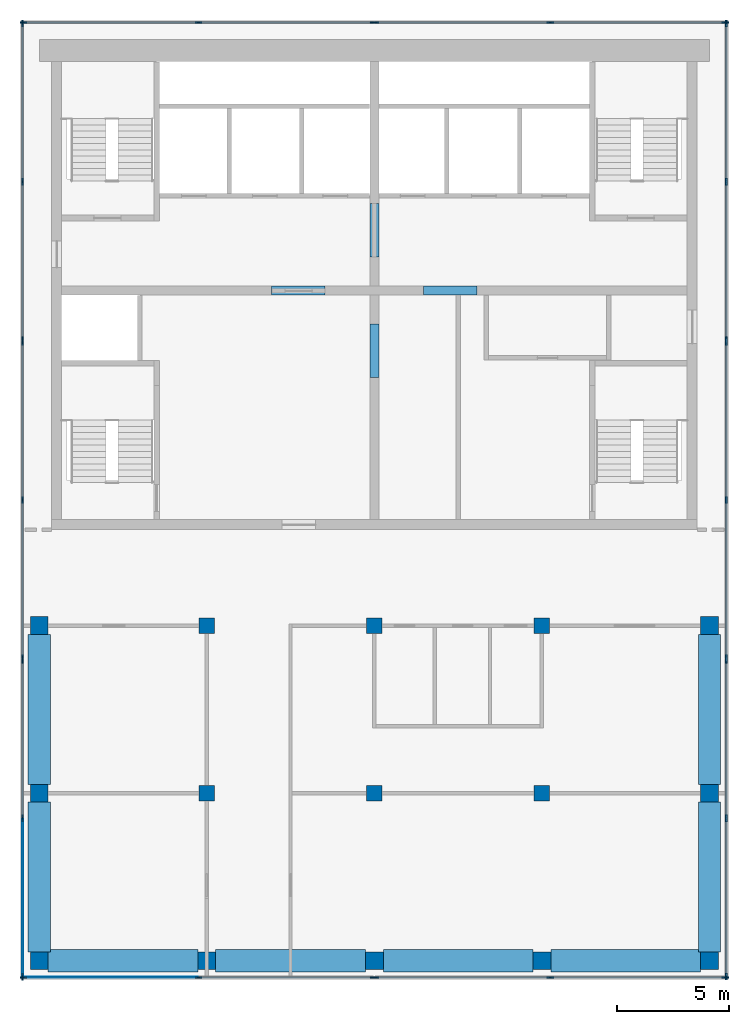
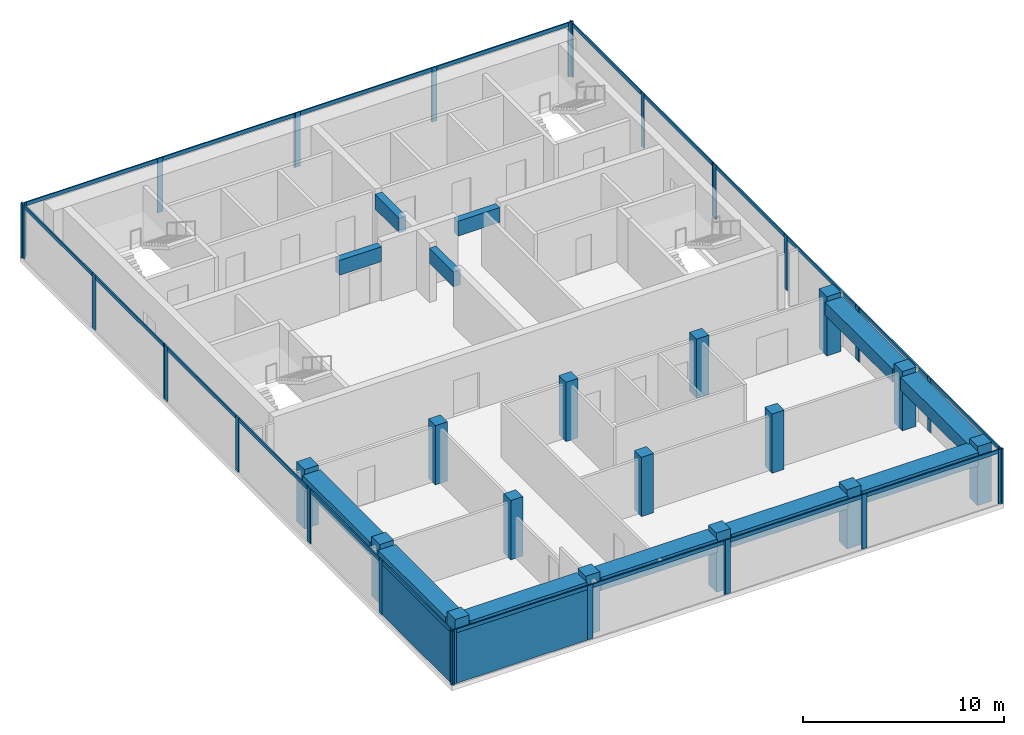
# One storey, part 1 of 5: 50 members, 15 columns, 12 beams, 2 plates, 10 elements without a shape of their own.
"""IFC4 building model written with IfcOpenShell, lengths in metres."""

from ifc_helpers import new_model, si_unit, direction, frame, origin, origin_2d, place, context, subcontext, project, spatial, rectangle, extrude, material, layer, layer_set, material_profile, profile_set, type_object, element, aggregate, save


model = new_model("IFC4")

# Units and contexts
model_context = context("Model", 3, precision=1e-05, world=origin(), true_north=direction((0.0, 1.0)))
body_context = subcontext(model_context, "Body", "Model", "MODEL_VIEW")
ifc_project = project(units=[si_unit("LENGTHUNIT", "METRE"), si_unit("AREAUNIT", "SQUARE_METRE"), si_unit("VOLUMEUNIT", "CUBIC_METRE"), si_unit("PLANEANGLEUNIT", "RADIAN"), si_unit("MASSUNIT", "GRAM", prefix="KILO")], contexts=[model_context])

# Site, building, storey
site_placement = place(None, origin())
site = spatial("IfcSite", under=ifc_project, at=site_placement, CompositionType="ELEMENT")
building_placement = place(site_placement, origin())
building = spatial("IfcBuilding", under=site, at=building_placement, Name="Pilkhan Gate Tower", CompositionType="ELEMENT")
storey_placement = place(building_placement, frame((0.0, 0.0, 280.10009765625)))
storey = spatial("IfcBuildingStorey", under=building, at=storey_placement, Name="L73", CompositionType="ELEMENT", Elevation=280.10009765625)

# Columns
ifc_material_1 = material(Name="Concrete C40/50", Category="concrete")
ifc_material_profile_1 = material_profile(ifc_material_1, rectangle(XDim=0.699951171875, YDim=0.699951171875, at=origin_2d()), Name="RC 700x700")
ifc_profile_set_1 = profile_set([ifc_material_profile_1], Name="Concrete C40/50")
column_type_1 = type_object("IfcColumnType", Name="Column C70 RC 700x700 C40/50", PredefinedType="COLUMN", material=ifc_profile_set_1)
for number, where, z_axis, x_axis, name in (
    (1, (67.5, 60.0, 0.0), (0.0, 0.0, 1.0), (1.0, 0.0, 0.0), "Column 9/F L73"),
    (2, (67.5, 67.5, 0.0), (0.0, 0.0, 1.0), (1.0, 0.0, 0.0), "Column 9/H L73"),
    (3, (75.0, 60.0, 0.0), (0.0, 0.0, 1.0), (1.0, 0.0, 0.0), "Column 11/F L73"),
    (4, (75.0, 67.5, 0.0), (0.0, 0.0, 1.0), (1.0, 0.0, 0.0), "Column 11/H L73"),
    (5, (82.5, 60.0, 0.0), (0.0, 0.0, 1.0), (1.0, 0.0, 0.0), "Column 13/F L73"),
    (6, (82.5, 67.5, 0.0), (0.0, 0.0, 1.0), (1.0, 0.0, 0.0), "Column 13/H L73"),
):
    element("IfcColumn", number, at=place(storey_placement, frame(where, z_axis=z_axis, x_axis=x_axis)), inside=storey, type_object=column_type_1, Name=name, PredefinedType="COLUMN", context=body_context, shape_type="SweptSolid", body=[
        extrude(rectangle(XDim=0.699951171875, YDim=0.699951171875, at=origin_2d()), origin(), (0.0, 0.0, 1.0), 3.599853515625),
    ])
ifc_material_profile_2 = material_profile(ifc_material_1, rectangle(XDim=0.800048828125, YDim=0.800048828125, at=origin_2d()), Name="RC 800x800")
ifc_profile_set_2 = profile_set([ifc_material_profile_2], Name="Concrete C40/50")
column_type_2 = type_object("IfcColumnType", Name="Column C80 RC 800x800 C40/50", PredefinedType="COLUMN", material=ifc_profile_set_2)
for number, where, z_axis, x_axis, name in (
    (7, (60.0, 52.5, 0.0), (0.0, 0.0, 1.0), (1.0, 0.0, 0.0), "Column 7/D L73"),
    (8, (60.0, 60.0, 0.0), (0.0, 0.0, 1.0), (1.0, 0.0, 0.0), "Column 7/F L73"),
    (9, (60.0, 67.5, 0.0), (0.0, 0.0, 1.0), (1.0, 0.0, 0.0), "Column 7/H L73"),
    (10, (67.5, 52.5, 0.0), (0.0, 0.0, 1.0), (1.0, 0.0, 0.0), "Column 9/D L73"),
    (11, (75.0, 52.5, 0.0), (0.0, 0.0, 1.0), (1.0, 0.0, 0.0), "Column 11/D L73"),
    (12, (82.5, 52.5, 0.0), (0.0, 0.0, 1.0), (1.0, 0.0, 0.0), "Column 13/D L73"),
    (13, (90.0, 52.5, 0.0), (0.0, 0.0, 1.0), (1.0, 0.0, 0.0), "Column 15/D L73"),
    (14, (90.0, 60.0, 0.0), (0.0, 0.0, 1.0), (1.0, 0.0, 0.0), "Column 15/F L73"),
    (15, (90.0, 67.5, 0.0), (0.0, 0.0, 1.0), (1.0, 0.0, 0.0), "Column 15/H L73"),
):
    element("IfcColumn", number, at=place(storey_placement, frame(where, z_axis=z_axis, x_axis=x_axis)), inside=storey, type_object=column_type_2, Name=name, PredefinedType="COLUMN", context=body_context, shape_type="SweptSolid", body=[
        extrude(rectangle(XDim=0.800048828125, YDim=0.800048828125, at=origin_2d()), origin(), (0.0, 0.0, 1.0), 3.599853515625),
    ])

# Beams
ifc_material_2 = material(Name="Concrete C50/60", Category="concrete")
ifc_material_profile_3 = material_profile(ifc_material_2, rectangle(XDim=0.39990234375, YDim=0.89990234375, at=origin_2d()), Name="RC 400x900")
ifc_profile_set_3 = profile_set([ifc_material_profile_3], Name="Concrete C50/60")
beam_type_1 = type_object("IfcBeamType", Name="Coupling beam CB90-4 RC 400x900 C50/60", PredefinedType="LINTEL", material=ifc_profile_set_3)
for number, where, z_axis, x_axis, name in (
    (16, (70.39990234375, 82.5, 2.849853515625), (1.0, 0.0, 0.0), (0.0, 1.0, 0.0), "Coupling beam 1 L73"),
    (17, (77.199951171875, 82.5, 2.849853515625), (1.0, 0.0, 0.0), (0.0, 1.0, 0.0), "Coupling beam 2 L73"),
):
    element("IfcBeam", number, at=place(storey_placement, frame(where, z_axis=z_axis, x_axis=x_axis)), inside=storey, type_object=beam_type_1, Name=name, PredefinedType="LINTEL", context=body_context, shape_type="SweptSolid", body=[
        extrude(rectangle(XDim=0.39990234375, YDim=0.89990234375, at=origin_2d()), origin(), (0.0, 0.0, 1.0), 2.400146484375),
    ])
for number, where, z_axis, x_axis, name in (
    (18, (75.0, 78.60009765625, 2.849853515625), (0.0, 1.0, 0.0), (-1.0, 0.0, 0.0), "Coupling beam 3 L73"),
    (19, (75.0, 84.0, 2.849853515625), (0.0, 1.0, 0.0), (-1.0, 0.0, 0.0), "Coupling beam 4 L73"),
):
    element("IfcBeam", number, at=place(storey_placement, frame(where, z_axis=z_axis, x_axis=x_axis)), inside=storey, type_object=beam_type_1, Name=name, PredefinedType="LINTEL", context=body_context, shape_type="SweptSolid", body=[
        extrude(rectangle(XDim=0.39990234375, YDim=0.89990234375, at=origin_2d()), origin(), (0.0, 0.0, 1.0), 2.39990234375),
    ])

# Curtain wall, members
ifc_material_3 = material(Name="Pale anodised aluminium, clear low-iron double glazing", Category="aluminium")
curtain_wall_type = type_object("IfcCurtainWallType", Name="Crown unitised curtain wall CW-C", PredefinedType="USERDEFINED", material=ifc_material_3)
curtain_wall_1_placement = place(storey_placement, origin())
curtain_wall_1 = element("IfcCurtainWall", 20, at=curtain_wall_1_placement, inside=storey, type_object=curtain_wall_type, Name="Crown unitised curtain wall CW-C L73 E", ObjectType="UNITISED CURTAIN WALL", PredefinedType="USERDEFINED")
ifc_material_4 = material(Name="Pale anodised aluminium", Category="aluminium")
ifc_material_profile_4 = material_profile(ifc_material_4, rectangle(XDim=0.074951171875, YDim=0.300048828125, at=origin_2d()), Name="Mullion 300x75")
ifc_profile_set_4 = profile_set([ifc_material_profile_4], Name="Pale anodised aluminium")
member_type_1 = type_object("IfcMemberType", Name="Mullion CW-C 300x75", PredefinedType="MULLION", material=ifc_profile_set_4)
member_1_placement = place(storey_placement, frame((90.75, 51.78759765625, 0.0), z_axis=(0.0, 0.0, 1.0), x_axis=(-1.0, 0.0, 0.0)))
member_1 = element("IfcMember", 21, at=member_1_placement, type_object=member_type_1, Name="CW-C mullion 1", PredefinedType="MULLION", context=body_context, shape_type="SweptSolid", body=[
    extrude(rectangle(XDim=0.074951171875, YDim=0.300048828125, at=origin_2d()), origin(), (0.0, 0.0, 1.0), 3.2998046875),
])
member_2_placement = place(storey_placement, frame((90.75, 58.875, 0.0), z_axis=(0.0, 0.0, 1.0), x_axis=(-1.0, 0.0, 0.0)))
member_2 = element("IfcMember", 22, at=member_2_placement, type_object=member_type_1, Name="CW-C mullion 2", PredefinedType="MULLION", context=body_context, shape_type="SweptSolid", body=[
    extrude(rectangle(XDim=0.074951171875, YDim=0.300048828125, at=origin_2d()), origin(), (0.0, 0.0, 1.0), 3.2998046875),
])
member_3_placement = place(storey_placement, frame((90.75, 65.96240234375, 0.0), z_axis=(0.0, 0.0, 1.0), x_axis=(-1.0, 0.0, 0.0)))
member_3 = element("IfcMember", 23, at=member_3_placement, type_object=member_type_1, Name="CW-C mullion 3", PredefinedType="MULLION", context=body_context, shape_type="SweptSolid", body=[
    extrude(rectangle(XDim=0.074951171875, YDim=0.300048828125, at=origin_2d()), origin(), (0.0, 0.0, 1.0), 3.2998046875),
])

curtain_wall_2_placement = place(storey_placement, origin())
curtain_wall_2 = element("IfcCurtainWall", 24, at=curtain_wall_2_placement, inside=storey, type_object=curtain_wall_type, Name="Crown unitised curtain wall CW-C L73 E", ObjectType="UNITISED CURTAIN WALL", PredefinedType="USERDEFINED")
member_4_placement = place(storey_placement, frame((90.75, 66.03759765625, 0.0), z_axis=(0.0, 0.0, 1.0), x_axis=(-1.0, 0.0, 0.0)))
member_4 = element("IfcMember", 25, at=member_4_placement, type_object=member_type_1, Name="CW-C mullion 1", PredefinedType="MULLION", context=body_context, shape_type="SweptSolid", body=[
    extrude(rectangle(XDim=0.074951171875, YDim=0.300048828125, at=origin_2d()), origin(), (0.0, 0.0, 1.0), 3.2998046875),
])
member_5_placement = place(storey_placement, frame((90.75, 73.125, 0.0), z_axis=(0.0, 0.0, 1.0), x_axis=(-1.0, 0.0, 0.0)))
member_5 = element("IfcMember", 26, at=member_5_placement, type_object=member_type_1, Name="CW-C mullion 2", PredefinedType="MULLION", context=body_context, shape_type="SweptSolid", body=[
    extrude(rectangle(XDim=0.074951171875, YDim=0.300048828125, at=origin_2d()), origin(), (0.0, 0.0, 1.0), 3.2998046875),
])
member_6_placement = place(storey_placement, frame((90.75, 80.21240234375, 0.0), z_axis=(0.0, 0.0, 1.0), x_axis=(-1.0, 0.0, 0.0)))
member_6 = element("IfcMember", 27, at=member_6_placement, type_object=member_type_1, Name="CW-C mullion 3", PredefinedType="MULLION", context=body_context, shape_type="SweptSolid", body=[
    extrude(rectangle(XDim=0.074951171875, YDim=0.300048828125, at=origin_2d()), origin(), (0.0, 0.0, 1.0), 3.2998046875),
])

curtain_wall_3_placement = place(storey_placement, origin())
curtain_wall_3 = element("IfcCurtainWall", 28, at=curtain_wall_3_placement, inside=storey, type_object=curtain_wall_type, Name="Crown unitised curtain wall CW-C L73 E", ObjectType="UNITISED CURTAIN WALL", PredefinedType="USERDEFINED")
member_7_placement = place(storey_placement, frame((90.75, 80.28759765625, 0.0), z_axis=(0.0, 0.0, 1.0), x_axis=(-1.0, 0.0, 0.0)))
member_7 = element("IfcMember", 29, at=member_7_placement, type_object=member_type_1, Name="CW-C mullion 1", PredefinedType="MULLION", context=body_context, shape_type="SweptSolid", body=[
    extrude(rectangle(XDim=0.074951171875, YDim=0.300048828125, at=origin_2d()), origin(), (0.0, 0.0, 1.0), 3.2998046875),
])
member_8_placement = place(storey_placement, frame((90.75, 87.375, 0.0), z_axis=(0.0, 0.0, 1.0), x_axis=(-1.0, 0.0, 0.0)))
member_8 = element("IfcMember", 30, at=member_8_placement, type_object=member_type_1, Name="CW-C mullion 2", PredefinedType="MULLION", context=body_context, shape_type="SweptSolid", body=[
    extrude(rectangle(XDim=0.074951171875, YDim=0.300048828125, at=origin_2d()), origin(), (0.0, 0.0, 1.0), 3.2998046875),
])
member_9_placement = place(storey_placement, frame((90.75, 94.46240234375, 0.0), z_axis=(0.0, 0.0, 1.0), x_axis=(-1.0, 0.0, 0.0)))
member_9 = element("IfcMember", 31, at=member_9_placement, type_object=member_type_1, Name="CW-C mullion 3", PredefinedType="MULLION", context=body_context, shape_type="SweptSolid", body=[
    extrude(rectangle(XDim=0.074951171875, YDim=0.300048828125, at=origin_2d()), origin(), (0.0, 0.0, 1.0), 3.2998046875),
])

curtain_wall_4_placement = place(storey_placement, origin())
curtain_wall_4 = element("IfcCurtainWall", 32, at=curtain_wall_4_placement, inside=storey, type_object=curtain_wall_type, Name="Crown unitised curtain wall CW-C L73 N", ObjectType="UNITISED CURTAIN WALL", PredefinedType="USERDEFINED")
member_10_placement = place(storey_placement, frame((59.28759765625, 94.5, 0.0), z_axis=(0.0, 0.0, 1.0), x_axis=(0.0, 1.0, 0.0)))
member_10 = element("IfcMember", 33, at=member_10_placement, type_object=member_type_1, Name="CW-C mullion 1", PredefinedType="MULLION", context=body_context, shape_type="SweptSolid", body=[
    extrude(rectangle(XDim=0.074951171875, YDim=0.300048828125, at=origin_2d()), origin(), (0.0, 0.0, 1.0), 3.2998046875),
])
member_11_placement = place(storey_placement, frame((67.125, 94.5, 0.0), z_axis=(0.0, 0.0, 1.0), x_axis=(0.0, 1.0, 0.0)))
member_11 = element("IfcMember", 34, at=member_11_placement, type_object=member_type_1, Name="CW-C mullion 2", PredefinedType="MULLION", context=body_context, shape_type="SweptSolid", body=[
    extrude(rectangle(XDim=0.074951171875, YDim=0.300048828125, at=origin_2d()), origin(), (0.0, 0.0, 1.0), 3.2998046875),
])
member_12_placement = place(storey_placement, frame((74.96240234375, 94.5, 0.0), z_axis=(0.0, 0.0, 1.0), x_axis=(0.0, 1.0, 0.0)))
member_12 = element("IfcMember", 35, at=member_12_placement, type_object=member_type_1, Name="CW-C mullion 3", PredefinedType="MULLION", context=body_context, shape_type="SweptSolid", body=[
    extrude(rectangle(XDim=0.074951171875, YDim=0.300048828125, at=origin_2d()), origin(), (0.0, 0.0, 1.0), 3.2998046875),
])

curtain_wall_5_placement = place(storey_placement, origin())
curtain_wall_5 = element("IfcCurtainWall", 36, at=curtain_wall_5_placement, inside=storey, type_object=curtain_wall_type, Name="Crown unitised curtain wall CW-C L73 N", ObjectType="UNITISED CURTAIN WALL", PredefinedType="USERDEFINED")
member_13_placement = place(storey_placement, frame((75.03759765625, 94.5, 0.0), z_axis=(0.0, 0.0, 1.0), x_axis=(0.0, 1.0, 0.0)))
member_13 = element("IfcMember", 37, at=member_13_placement, type_object=member_type_1, Name="CW-C mullion 1", PredefinedType="MULLION", context=body_context, shape_type="SweptSolid", body=[
    extrude(rectangle(XDim=0.074951171875, YDim=0.300048828125, at=origin_2d()), origin(), (0.0, 0.0, 1.0), 3.2998046875),
])
member_14_placement = place(storey_placement, frame((82.875, 94.5, 0.0), z_axis=(0.0, 0.0, 1.0), x_axis=(0.0, 1.0, 0.0)))
member_14 = element("IfcMember", 38, at=member_14_placement, type_object=member_type_1, Name="CW-C mullion 2", PredefinedType="MULLION", context=body_context, shape_type="SweptSolid", body=[
    extrude(rectangle(XDim=0.074951171875, YDim=0.300048828125, at=origin_2d()), origin(), (0.0, 0.0, 1.0), 3.2998046875),
])
member_15_placement = place(storey_placement, frame((90.71240234375, 94.5, 0.0), z_axis=(0.0, 0.0, 1.0), x_axis=(0.0, 1.0, 0.0)))
member_15 = element("IfcMember", 39, at=member_15_placement, type_object=member_type_1, Name="CW-C mullion 3", PredefinedType="MULLION", context=body_context, shape_type="SweptSolid", body=[
    extrude(rectangle(XDim=0.074951171875, YDim=0.300048828125, at=origin_2d()), origin(), (0.0, 0.0, 1.0), 3.2998046875),
])

curtain_wall_6_placement = place(storey_placement, origin())
curtain_wall_6 = element("IfcCurtainWall", 40, at=curtain_wall_6_placement, inside=storey, type_object=curtain_wall_type, Name="Crown unitised curtain wall CW-C L73 W", ObjectType="UNITISED CURTAIN WALL", PredefinedType="USERDEFINED")
member_16_placement = place(storey_placement, frame((59.25, 51.78759765625, 0.0), z_axis=(0.0, 0.0, 1.0), x_axis=(-1.0, 0.0, 0.0)))
member_16 = element("IfcMember", 41, at=member_16_placement, type_object=member_type_1, Name="CW-C mullion 1", PredefinedType="MULLION", context=body_context, shape_type="SweptSolid", body=[
    extrude(rectangle(XDim=0.074951171875, YDim=0.300048828125, at=origin_2d()), origin(), (0.0, 0.0, 1.0), 3.2998046875),
])
member_17_placement = place(storey_placement, frame((59.25, 58.875, 0.0), z_axis=(0.0, 0.0, 1.0), x_axis=(-1.0, 0.0, 0.0)))
member_17 = element("IfcMember", 42, at=member_17_placement, type_object=member_type_1, Name="CW-C mullion 2", PredefinedType="MULLION", context=body_context, shape_type="SweptSolid", body=[
    extrude(rectangle(XDim=0.074951171875, YDim=0.300048828125, at=origin_2d()), origin(), (0.0, 0.0, 1.0), 3.2998046875),
])
member_18_placement = place(storey_placement, frame((59.25, 65.96240234375, 0.0), z_axis=(0.0, 0.0, 1.0), x_axis=(-1.0, 0.0, 0.0)))
member_18 = element("IfcMember", 43, at=member_18_placement, type_object=member_type_1, Name="CW-C mullion 3", PredefinedType="MULLION", context=body_context, shape_type="SweptSolid", body=[
    extrude(rectangle(XDim=0.074951171875, YDim=0.300048828125, at=origin_2d()), origin(), (0.0, 0.0, 1.0), 3.2998046875),
])

curtain_wall_7_placement = place(storey_placement, origin())
curtain_wall_7 = element("IfcCurtainWall", 44, at=curtain_wall_7_placement, inside=storey, type_object=curtain_wall_type, Name="Crown unitised curtain wall CW-C L73 W", ObjectType="UNITISED CURTAIN WALL", PredefinedType="USERDEFINED")
member_19_placement = place(storey_placement, frame((59.25, 66.03759765625, 0.0), z_axis=(0.0, 0.0, 1.0), x_axis=(-1.0, 0.0, 0.0)))
member_19 = element("IfcMember", 45, at=member_19_placement, type_object=member_type_1, Name="CW-C mullion 1", PredefinedType="MULLION", context=body_context, shape_type="SweptSolid", body=[
    extrude(rectangle(XDim=0.074951171875, YDim=0.300048828125, at=origin_2d()), origin(), (0.0, 0.0, 1.0), 3.2998046875),
])
member_20_placement = place(storey_placement, frame((59.25, 73.125, 0.0), z_axis=(0.0, 0.0, 1.0), x_axis=(-1.0, 0.0, 0.0)))
member_20 = element("IfcMember", 46, at=member_20_placement, type_object=member_type_1, Name="CW-C mullion 2", PredefinedType="MULLION", context=body_context, shape_type="SweptSolid", body=[
    extrude(rectangle(XDim=0.074951171875, YDim=0.300048828125, at=origin_2d()), origin(), (0.0, 0.0, 1.0), 3.2998046875),
])
member_21_placement = place(storey_placement, frame((59.25, 80.21240234375, 0.0), z_axis=(0.0, 0.0, 1.0), x_axis=(-1.0, 0.0, 0.0)))
member_21 = element("IfcMember", 47, at=member_21_placement, type_object=member_type_1, Name="CW-C mullion 3", PredefinedType="MULLION", context=body_context, shape_type="SweptSolid", body=[
    extrude(rectangle(XDim=0.074951171875, YDim=0.300048828125, at=origin_2d()), origin(), (0.0, 0.0, 1.0), 3.2998046875),
])

curtain_wall_8_placement = place(storey_placement, origin())
curtain_wall_8 = element("IfcCurtainWall", 48, at=curtain_wall_8_placement, inside=storey, type_object=curtain_wall_type, Name="Crown unitised curtain wall CW-C L73 W", ObjectType="UNITISED CURTAIN WALL", PredefinedType="USERDEFINED")
member_22_placement = place(storey_placement, frame((59.25, 80.28759765625, 0.0), z_axis=(0.0, 0.0, 1.0), x_axis=(-1.0, 0.0, 0.0)))
member_22 = element("IfcMember", 49, at=member_22_placement, type_object=member_type_1, Name="CW-C mullion 1", PredefinedType="MULLION", context=body_context, shape_type="SweptSolid", body=[
    extrude(rectangle(XDim=0.074951171875, YDim=0.300048828125, at=origin_2d()), origin(), (0.0, 0.0, 1.0), 3.2998046875),
])
member_23_placement = place(storey_placement, frame((59.25, 87.375, 0.0), z_axis=(0.0, 0.0, 1.0), x_axis=(-1.0, 0.0, 0.0)))
member_23 = element("IfcMember", 50, at=member_23_placement, type_object=member_type_1, Name="CW-C mullion 2", PredefinedType="MULLION", context=body_context, shape_type="SweptSolid", body=[
    extrude(rectangle(XDim=0.074951171875, YDim=0.300048828125, at=origin_2d()), origin(), (0.0, 0.0, 1.0), 3.2998046875),
])
member_24_placement = place(storey_placement, frame((59.25, 94.46240234375, 0.0), z_axis=(0.0, 0.0, 1.0), x_axis=(-1.0, 0.0, 0.0)))
member_24 = element("IfcMember", 51, at=member_24_placement, type_object=member_type_1, Name="CW-C mullion 3", PredefinedType="MULLION", context=body_context, shape_type="SweptSolid", body=[
    extrude(rectangle(XDim=0.074951171875, YDim=0.300048828125, at=origin_2d()), origin(), (0.0, 0.0, 1.0), 3.2998046875),
])

curtain_wall_9_placement = place(storey_placement, origin())
curtain_wall_9 = element("IfcCurtainWall", 52, at=curtain_wall_9_placement, inside=storey, type_object=curtain_wall_type, Name="Crown unitised curtain wall CW-C L73 S", ObjectType="UNITISED CURTAIN WALL", PredefinedType="USERDEFINED")
member_25_placement = place(storey_placement, frame((59.28759765625, 51.75, 0.0), z_axis=(0.0, 0.0, 1.0), x_axis=(0.0, 1.0, 0.0)))
member_25 = element("IfcMember", 53, at=member_25_placement, type_object=member_type_1, Name="CW-C mullion 1", PredefinedType="MULLION", context=body_context, shape_type="SweptSolid", body=[
    extrude(rectangle(XDim=0.074951171875, YDim=0.300048828125, at=origin_2d()), origin(), (0.0, 0.0, 1.0), 3.2998046875),
])
member_26_placement = place(storey_placement, frame((67.125, 51.75, 0.0), z_axis=(0.0, 0.0, 1.0), x_axis=(0.0, 1.0, 0.0)))
member_26 = element("IfcMember", 54, at=member_26_placement, type_object=member_type_1, Name="CW-C mullion 2", PredefinedType="MULLION", context=body_context, shape_type="SweptSolid", body=[
    extrude(rectangle(XDim=0.074951171875, YDim=0.300048828125, at=origin_2d()), origin(), (0.0, 0.0, 1.0), 3.2998046875),
])
member_27_placement = place(storey_placement, frame((74.96240234375, 51.75, 0.0), z_axis=(0.0, 0.0, 1.0), x_axis=(0.0, 1.0, 0.0)))
member_27 = element("IfcMember", 55, at=member_27_placement, type_object=member_type_1, Name="CW-C mullion 3", PredefinedType="MULLION", context=body_context, shape_type="SweptSolid", body=[
    extrude(rectangle(XDim=0.074951171875, YDim=0.300048828125, at=origin_2d()), origin(), (0.0, 0.0, 1.0), 3.2998046875),
])

curtain_wall_10_placement = place(storey_placement, origin())
curtain_wall_10 = element("IfcCurtainWall", 56, at=curtain_wall_10_placement, inside=storey, type_object=curtain_wall_type, Name="Crown unitised curtain wall CW-C L73 S", ObjectType="UNITISED CURTAIN WALL", PredefinedType="USERDEFINED")
member_28_placement = place(storey_placement, frame((75.03759765625, 51.75, 0.0), z_axis=(0.0, 0.0, 1.0), x_axis=(0.0, 1.0, 0.0)))
member_28 = element("IfcMember", 57, at=member_28_placement, type_object=member_type_1, Name="CW-C mullion 1", PredefinedType="MULLION", context=body_context, shape_type="SweptSolid", body=[
    extrude(rectangle(XDim=0.074951171875, YDim=0.300048828125, at=origin_2d()), origin(), (0.0, 0.0, 1.0), 3.2998046875),
])
member_29_placement = place(storey_placement, frame((82.875, 51.75, 0.0), z_axis=(0.0, 0.0, 1.0), x_axis=(0.0, 1.0, 0.0)))
member_29 = element("IfcMember", 58, at=member_29_placement, type_object=member_type_1, Name="CW-C mullion 2", PredefinedType="MULLION", context=body_context, shape_type="SweptSolid", body=[
    extrude(rectangle(XDim=0.074951171875, YDim=0.300048828125, at=origin_2d()), origin(), (0.0, 0.0, 1.0), 3.2998046875),
])
member_30_placement = place(storey_placement, frame((90.71240234375, 51.75, 0.0), z_axis=(0.0, 0.0, 1.0), x_axis=(0.0, 1.0, 0.0)))
member_30 = element("IfcMember", 59, at=member_30_placement, type_object=member_type_1, Name="CW-C mullion 3", PredefinedType="MULLION", context=body_context, shape_type="SweptSolid", body=[
    extrude(rectangle(XDim=0.074951171875, YDim=0.300048828125, at=origin_2d()), origin(), (0.0, 0.0, 1.0), 3.2998046875),
])

# Beams
ifc_material_profile_5 = material_profile(ifc_material_2, rectangle(XDim=1.0, YDim=0.800048828125, at=origin_2d()), Name="RC 1000x800")
ifc_profile_set_5 = profile_set([ifc_material_profile_5], Name="Concrete C50/60")
beam_type_2 = type_object("IfcBeamType", Name="Terrace edge beam TEB10W RC 1000x800 C50/60", PredefinedType="BEAM", material=ifc_profile_set_5)
for number, where, z_axis, x_axis, name in (
    (60, (90.0, 52.89990234375, 2.89990234375), (0.0, 1.0, 0.0), (-1.0, 0.0, 0.0), "Terrace edge beam 1 L74"),
    (61, (90.0, 60.39990234375, 2.89990234375), (0.0, 1.0, 0.0), (-1.0, 0.0, 0.0), "Terrace edge beam 2 L74"),
    (62, (60.0, 67.10009765625, 2.89990234375), (0.0, -1.0, 0.0), (1.0, 0.0, 0.0), "Terrace edge beam 3 L74"),
    (63, (60.0, 59.60009765625, 2.89990234375), (0.0, -1.0, 0.0), (1.0, 0.0, 0.0), "Terrace edge beam 4 L74"),
    (64, (60.39990234375, 52.5, 2.89990234375), (1.0, 0.0, 0.0), (0.0, 1.0, 0.0), "Terrace edge beam 5 L74"),
    (65, (67.89990234375, 52.5, 2.89990234375), (1.0, 0.0, 0.0), (0.0, 1.0, 0.0), "Terrace edge beam 6 L74"),
    (66, (75.39990234375, 52.5, 2.89990234375), (1.0, 0.0, 0.0), (0.0, 1.0, 0.0), "Terrace edge beam 7 L74"),
    (67, (82.89990234375, 52.5, 2.89990234375), (1.0, 0.0, 0.0), (0.0, 1.0, 0.0), "Terrace edge beam 8 L74"),
):
    element("IfcBeam", number, at=place(storey_placement, frame(where, z_axis=z_axis, x_axis=x_axis)), inside=storey, type_object=beam_type_2, Name=name, PredefinedType="BEAM", context=body_context, shape_type="SweptSolid", body=[
        extrude(rectangle(XDim=1.0, YDim=0.800048828125, at=origin_2d()), origin(), (0.0, 0.0, 1.0), 6.7001953125),
    ])

# Member
ifc_material_profile_6 = material_profile(ifc_material_4, rectangle(XDim=0.074951171875, YDim=0.219970703125, at=origin_2d()), Name="Transom 220x75")
ifc_profile_set_6 = profile_set([ifc_material_profile_6], Name="Pale anodised aluminium")
member_type_2 = type_object("IfcMemberType", Name="Transom CW-C 220x75", PredefinedType="USERDEFINED", material=ifc_profile_set_6)
member_31_placement = place(storey_placement, frame((90.75, 51.824951171875, 3.18994140625), z_axis=(0.0, 1.0, 0.0), x_axis=(-1.0, 0.0, 0.0)))
member_31 = element("IfcMember", 68, at=member_31_placement, type_object=member_type_2, Name="CW-C transom 1", ObjectType="TRANSOM", PredefinedType="USERDEFINED", context=body_context, shape_type="SweptSolid", body=[
    extrude(rectangle(XDim=0.074951171875, YDim=0.219970703125, at=origin_2d()), origin(), (0.0, 0.0, 1.0), 7.012451171875),
])

member_32_placement = place(storey_placement, frame((90.75, 58.91259765625, 3.18994140625), z_axis=(0.0, 1.0, 0.0), x_axis=(-1.0, 0.0, 0.0)))
member_32 = element("IfcMember", 69, at=member_32_placement, type_object=member_type_2, Name="CW-C transom 2", ObjectType="TRANSOM", PredefinedType="USERDEFINED", context=body_context, shape_type="SweptSolid", body=[
    extrude(rectangle(XDim=0.074951171875, YDim=0.219970703125, at=origin_2d()), origin(), (0.0, 0.0, 1.0), 7.012451171875),
])

aggregate(curtain_wall_1, [member_1, member_2, member_3, member_31, member_32])

member_33_placement = place(storey_placement, frame((90.75, 66.074951171875, 3.18994140625), z_axis=(0.0, 1.0, 0.0), x_axis=(-1.0, 0.0, 0.0)))
member_33 = element("IfcMember", 70, at=member_33_placement, type_object=member_type_2, Name="CW-C transom 1", ObjectType="TRANSOM", PredefinedType="USERDEFINED", context=body_context, shape_type="SweptSolid", body=[
    extrude(rectangle(XDim=0.074951171875, YDim=0.219970703125, at=origin_2d()), origin(), (0.0, 0.0, 1.0), 7.012451171875),
])

member_34_placement = place(storey_placement, frame((90.75, 73.16259765625, 3.18994140625), z_axis=(0.0, 1.0, 0.0), x_axis=(-1.0, 0.0, 0.0)))
member_34 = element("IfcMember", 71, at=member_34_placement, type_object=member_type_2, Name="CW-C transom 2", ObjectType="TRANSOM", PredefinedType="USERDEFINED", context=body_context, shape_type="SweptSolid", body=[
    extrude(rectangle(XDim=0.074951171875, YDim=0.219970703125, at=origin_2d()), origin(), (0.0, 0.0, 1.0), 7.012451171875),
])

aggregate(curtain_wall_2, [member_4, member_5, member_6, member_33, member_34])

member_35_placement = place(storey_placement, frame((90.75, 80.324951171875, 3.18994140625), z_axis=(0.0, 1.0, 0.0), x_axis=(-1.0, 0.0, 0.0)))
member_35 = element("IfcMember", 72, at=member_35_placement, type_object=member_type_2, Name="CW-C transom 1", ObjectType="TRANSOM", PredefinedType="USERDEFINED", context=body_context, shape_type="SweptSolid", body=[
    extrude(rectangle(XDim=0.074951171875, YDim=0.219970703125, at=origin_2d()), origin(), (0.0, 0.0, 1.0), 7.012451171875),
])

member_36_placement = place(storey_placement, frame((90.75, 87.41259765625, 3.18994140625), z_axis=(0.0, 1.0, 0.0), x_axis=(-1.0, 0.0, 0.0)))
member_36 = element("IfcMember", 73, at=member_36_placement, type_object=member_type_2, Name="CW-C transom 2", ObjectType="TRANSOM", PredefinedType="USERDEFINED", context=body_context, shape_type="SweptSolid", body=[
    extrude(rectangle(XDim=0.074951171875, YDim=0.219970703125, at=origin_2d()), origin(), (0.0, 0.0, 1.0), 7.012451171875),
])

aggregate(curtain_wall_3, [member_7, member_8, member_9, member_35, member_36])

member_37_placement = place(storey_placement, frame((59.324951171875, 94.5, 3.18994140625), z_axis=(1.0, 0.0, 0.0), x_axis=(0.0, 1.0, 0.0)))
member_37 = element("IfcMember", 74, at=member_37_placement, type_object=member_type_2, Name="CW-C transom 1", ObjectType="TRANSOM", PredefinedType="USERDEFINED", context=body_context, shape_type="SweptSolid", body=[
    extrude(rectangle(XDim=0.074951171875, YDim=0.219970703125, at=origin_2d()), origin(), (0.0, 0.0, 1.0), 7.762451171875),
])

member_38_placement = place(storey_placement, frame((67.16259765625, 94.5, 3.18994140625), z_axis=(1.0, 0.0, 0.0), x_axis=(0.0, 1.0, 0.0)))
member_38 = element("IfcMember", 75, at=member_38_placement, type_object=member_type_2, Name="CW-C transom 2", ObjectType="TRANSOM", PredefinedType="USERDEFINED", context=body_context, shape_type="SweptSolid", body=[
    extrude(rectangle(XDim=0.074951171875, YDim=0.219970703125, at=origin_2d()), origin(), (0.0, 0.0, 1.0), 7.762451171875),
])

aggregate(curtain_wall_4, [member_10, member_11, member_12, member_37, member_38])

member_39_placement = place(storey_placement, frame((75.074951171875, 94.5, 3.18994140625), z_axis=(1.0, 0.0, 0.0), x_axis=(0.0, 1.0, 0.0)))
member_39 = element("IfcMember", 76, at=member_39_placement, type_object=member_type_2, Name="CW-C transom 1", ObjectType="TRANSOM", PredefinedType="USERDEFINED", context=body_context, shape_type="SweptSolid", body=[
    extrude(rectangle(XDim=0.074951171875, YDim=0.219970703125, at=origin_2d()), origin(), (0.0, 0.0, 1.0), 7.762451171875),
])

member_40_placement = place(storey_placement, frame((82.91259765625, 94.5, 3.18994140625), z_axis=(1.0, 0.0, 0.0), x_axis=(0.0, 1.0, 0.0)))
member_40 = element("IfcMember", 77, at=member_40_placement, type_object=member_type_2, Name="CW-C transom 2", ObjectType="TRANSOM", PredefinedType="USERDEFINED", context=body_context, shape_type="SweptSolid", body=[
    extrude(rectangle(XDim=0.074951171875, YDim=0.219970703125, at=origin_2d()), origin(), (0.0, 0.0, 1.0), 7.762451171875),
])

aggregate(curtain_wall_5, [member_13, member_14, member_15, member_39, member_40])

member_41_placement = place(storey_placement, frame((59.25, 51.824951171875, 3.18994140625), z_axis=(0.0, 1.0, 0.0), x_axis=(-1.0, 0.0, 0.0)))
member_41 = element("IfcMember", 78, at=member_41_placement, type_object=member_type_2, Name="CW-C transom 1", ObjectType="TRANSOM", PredefinedType="USERDEFINED", context=body_context, shape_type="SweptSolid", body=[
    extrude(rectangle(XDim=0.074951171875, YDim=0.219970703125, at=origin_2d()), origin(), (0.0, 0.0, 1.0), 7.012451171875),
])

member_42_placement = place(storey_placement, frame((59.25, 58.91259765625, 3.18994140625), z_axis=(0.0, 1.0, 0.0), x_axis=(-1.0, 0.0, 0.0)))
member_42 = element("IfcMember", 79, at=member_42_placement, type_object=member_type_2, Name="CW-C transom 2", ObjectType="TRANSOM", PredefinedType="USERDEFINED", context=body_context, shape_type="SweptSolid", body=[
    extrude(rectangle(XDim=0.074951171875, YDim=0.219970703125, at=origin_2d()), origin(), (0.0, 0.0, 1.0), 7.012451171875),
])

member_43_placement = place(storey_placement, frame((59.25, 66.074951171875, 3.18994140625), z_axis=(0.0, 1.0, 0.0), x_axis=(-1.0, 0.0, 0.0)))
member_43 = element("IfcMember", 80, at=member_43_placement, type_object=member_type_2, Name="CW-C transom 1", ObjectType="TRANSOM", PredefinedType="USERDEFINED", context=body_context, shape_type="SweptSolid", body=[
    extrude(rectangle(XDim=0.074951171875, YDim=0.219970703125, at=origin_2d()), origin(), (0.0, 0.0, 1.0), 7.012451171875),
])

member_44_placement = place(storey_placement, frame((59.25, 73.16259765625, 3.18994140625), z_axis=(0.0, 1.0, 0.0), x_axis=(-1.0, 0.0, 0.0)))
member_44 = element("IfcMember", 81, at=member_44_placement, type_object=member_type_2, Name="CW-C transom 2", ObjectType="TRANSOM", PredefinedType="USERDEFINED", context=body_context, shape_type="SweptSolid", body=[
    extrude(rectangle(XDim=0.074951171875, YDim=0.219970703125, at=origin_2d()), origin(), (0.0, 0.0, 1.0), 7.012451171875),
])

aggregate(curtain_wall_7, [member_19, member_20, member_21, member_43, member_44])

member_45_placement = place(storey_placement, frame((59.25, 80.324951171875, 3.18994140625), z_axis=(0.0, 1.0, 0.0), x_axis=(-1.0, 0.0, 0.0)))
member_45 = element("IfcMember", 82, at=member_45_placement, type_object=member_type_2, Name="CW-C transom 1", ObjectType="TRANSOM", PredefinedType="USERDEFINED", context=body_context, shape_type="SweptSolid", body=[
    extrude(rectangle(XDim=0.074951171875, YDim=0.219970703125, at=origin_2d()), origin(), (0.0, 0.0, 1.0), 7.012451171875),
])

member_46_placement = place(storey_placement, frame((59.25, 87.41259765625, 3.18994140625), z_axis=(0.0, 1.0, 0.0), x_axis=(-1.0, 0.0, 0.0)))
member_46 = element("IfcMember", 83, at=member_46_placement, type_object=member_type_2, Name="CW-C transom 2", ObjectType="TRANSOM", PredefinedType="USERDEFINED", context=body_context, shape_type="SweptSolid", body=[
    extrude(rectangle(XDim=0.074951171875, YDim=0.219970703125, at=origin_2d()), origin(), (0.0, 0.0, 1.0), 7.012451171875),
])

aggregate(curtain_wall_8, [member_22, member_23, member_24, member_45, member_46])

member_47_placement = place(storey_placement, frame((59.324951171875, 51.75, 3.18994140625), z_axis=(1.0, 0.0, 0.0), x_axis=(0.0, 1.0, 0.0)))
member_47 = element("IfcMember", 84, at=member_47_placement, type_object=member_type_2, Name="CW-C transom 1", ObjectType="TRANSOM", PredefinedType="USERDEFINED", context=body_context, shape_type="SweptSolid", body=[
    extrude(rectangle(XDim=0.074951171875, YDim=0.219970703125, at=origin_2d()), origin(), (0.0, 0.0, 1.0), 7.762451171875),
])

member_48_placement = place(storey_placement, frame((67.16259765625, 51.75, 3.18994140625), z_axis=(1.0, 0.0, 0.0), x_axis=(0.0, 1.0, 0.0)))
member_48 = element("IfcMember", 85, at=member_48_placement, type_object=member_type_2, Name="CW-C transom 2", ObjectType="TRANSOM", PredefinedType="USERDEFINED", context=body_context, shape_type="SweptSolid", body=[
    extrude(rectangle(XDim=0.074951171875, YDim=0.219970703125, at=origin_2d()), origin(), (0.0, 0.0, 1.0), 7.762451171875),
])

member_49_placement = place(storey_placement, frame((75.074951171875, 51.75, 3.18994140625), z_axis=(1.0, 0.0, 0.0), x_axis=(0.0, 1.0, 0.0)))
member_49 = element("IfcMember", 86, at=member_49_placement, type_object=member_type_2, Name="CW-C transom 1", ObjectType="TRANSOM", PredefinedType="USERDEFINED", context=body_context, shape_type="SweptSolid", body=[
    extrude(rectangle(XDim=0.074951171875, YDim=0.219970703125, at=origin_2d()), origin(), (0.0, 0.0, 1.0), 7.762451171875),
])

member_50_placement = place(storey_placement, frame((82.91259765625, 51.75, 3.18994140625), z_axis=(1.0, 0.0, 0.0), x_axis=(0.0, 1.0, 0.0)))
member_50 = element("IfcMember", 87, at=member_50_placement, type_object=member_type_2, Name="CW-C transom 2", ObjectType="TRANSOM", PredefinedType="USERDEFINED", context=body_context, shape_type="SweptSolid", body=[
    extrude(rectangle(XDim=0.074951171875, YDim=0.219970703125, at=origin_2d()), origin(), (0.0, 0.0, 1.0), 7.762451171875),
])

aggregate(curtain_wall_10, [member_28, member_29, member_30, member_49, member_50])

# Plate
ifc_material_5 = material(Name="Clear low-iron double glazing", Category="glass")
ifc_layer = layer(ifc_material_5, 0.0439453125)
ifc_layer_set = layer_set([ifc_layer], Name="Glass panel CW-C 44")
plate_type = type_object("IfcPlateType", Name="Glass panel CW-C 44", PredefinedType="CURTAIN_PANEL", material=ifc_layer_set)
plate_1_placement = place(storey_placement, frame((59.25, 55.331298828125, -0.000244140625), z_axis=(0.0, 0.0, 1.0), x_axis=(0.0, 1.0, 0.0)))
plate_1 = element("IfcPlate", 88, at=plate_1_placement, type_object=plate_type, Name="CW-C panel 1", PredefinedType="CURTAIN_PANEL", context=body_context, shape_type="SweptSolid", body=[
    extrude(rectangle(XDim=7.012451171875, YDim=0.0439453125, at=origin_2d()), origin(), (0.0, 0.0, 1.0), 3.080078125),
])

aggregate(curtain_wall_6, [member_16, member_17, member_18, member_41, plate_1, member_42])

plate_2_placement = place(storey_placement, frame((63.206298828125, 51.75, -0.000244140625), z_axis=(0.0, 0.0, 1.0), x_axis=(1.0, 0.0, 0.0)))
plate_2 = element("IfcPlate", 89, at=plate_2_placement, type_object=plate_type, Name="CW-C panel 1", PredefinedType="CURTAIN_PANEL", context=body_context, shape_type="SweptSolid", body=[
    extrude(rectangle(XDim=7.762451171875, YDim=0.0439453125, at=origin_2d()), origin(), (0.0, 0.0, 1.0), 3.080078125),
])

aggregate(curtain_wall_9, [member_25, member_26, member_27, member_47, plate_2, member_48])

save(model, "model.ifc")
